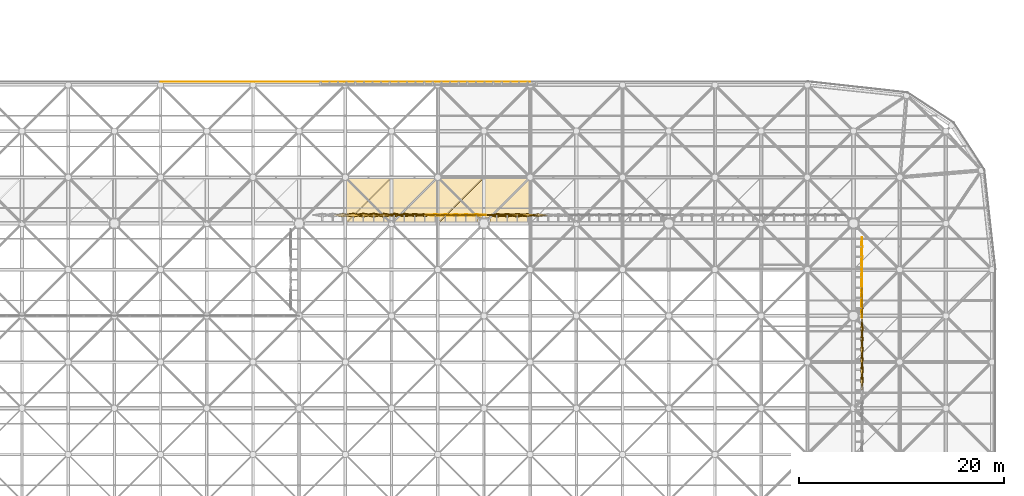
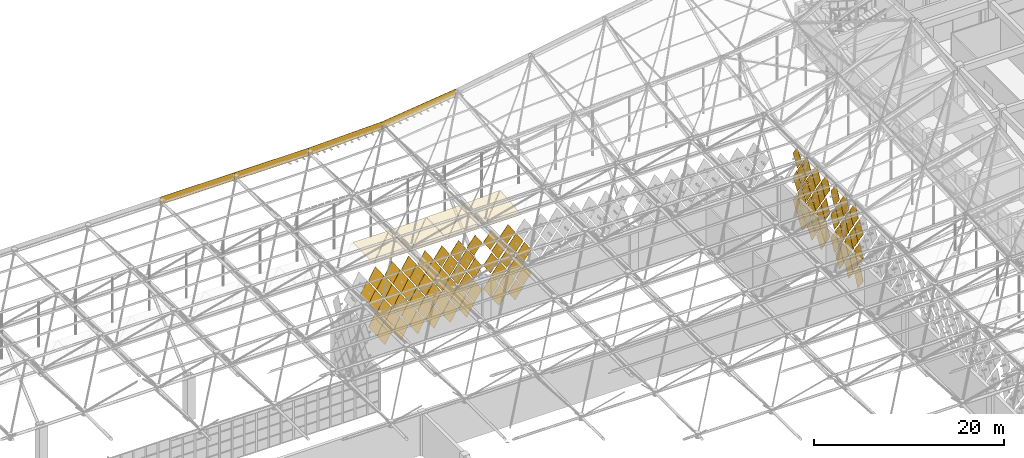
# One storey, part 426 of 437: 105 coverings.
"""IFC4 building model written with IfcOpenShell, lengths in metres."""

import ifcopenshell
import ifcopenshell.guid

model = None  # the IFC model being written
_history = None  # IfcOwnerHistory: only IFC2X3 demands one
_inside = {}  # id of a spatial element -> (the spatial element, [elements in it])
_under = {}  # id of a project, library or spatial element -> (it, [spatial elements below it])
_declared = {}  # id of a project -> (the project, [libraries it declares])
_typed = {}  # id of a type object -> (the type object, [elements of that type])
_made_of = {}  # id of a material, layer set ... -> (it, [elements and type objects made of it])


def new_model(schema):
    """Start an empty IFC model of exactly this schema.

    Asked for "IFC4X3", IfcOpenShell would pick the latest addendum, in which some entities
    have other attributes; the version numbers below select the first issue.
    IFC2X3 requires an IfcOwnerHistory on every rooted entity: one is made here for all.
    """
    global model, _history
    if schema == "IFC4X3":
        model = ifcopenshell.file(schema_version=(4, 3, 0, 0))
    else:
        model = ifcopenshell.file(schema=schema)
    _inside.clear()
    _under.clear()
    _declared.clear()
    _typed.clear()
    _made_of.clear()
    _history = None
    if model.schema == "IFC2X3":
        org = make("IfcOrganization", Name="unknown")
        user = make(
            "IfcPersonAndOrganization",
            ThePerson=make("IfcPerson", FamilyName="unknown"),
            TheOrganization=org,
        )
        app = make(
            "IfcApplication",
            ApplicationDeveloper=org,
            Version="unknown",
            ApplicationFullName="unknown",
            ApplicationIdentifier="unknown",
        )
        _history = make(
            "IfcOwnerHistory",
            OwningUser=user,
            OwningApplication=app,
            ChangeAction="ADDED",
            CreationDate=0,
        )
    return model


def make(cls, **values):
    """One entity of the class cls with the attributes given. An attribute that is None is left unset."""
    return model.create_entity(
        cls, **{name: value for name, value in values.items() if value is not None}
    )


def rooted(cls, **values):
    """An entity with a GlobalId (a new one), such as an element, a storey or a relation."""
    return make(cls, GlobalId=ifcopenshell.guid.new(), OwnerHistory=_history, **values)


def si_unit(unit_type, name, prefix=None):
    """IfcSIUnit, for example si_unit("LENGTHUNIT", "METRE", prefix="MILLI")."""
    return make("IfcSIUnit", UnitType=unit_type, Prefix=prefix, Name=name)


def assignment(units):
    """IfcUnitAssignment: the units of a project."""
    return None if units is None else make("IfcUnitAssignment", Units=units)


def point(xyz):
    """IfcCartesianPoint."""
    return None if xyz is None else make("IfcCartesianPoint", Coordinates=xyz)


def direction(xyz):
    """IfcDirection."""
    return None if xyz is None else make("IfcDirection", DirectionRatios=xyz)


def frame(location, z_axis=None, x_axis=None):
    """IfcAxis2Placement3D, a coordinate frame: its origin and axes. An axis left out is left unset."""
    return make(
        "IfcAxis2Placement3D",
        Location=point(location),
        Axis=direction(z_axis),
        RefDirection=direction(x_axis),
    )


def origin():
    """The frame at (0, 0, 0) with its axes left unset."""
    return frame((0.0, 0.0, 0.0))


def place(relative_to, where):
    """IfcLocalPlacement: puts the frame where relative to a parent placement (None: the world)."""
    return make(
        "IfcLocalPlacement", PlacementRelTo=relative_to, RelativePlacement=where
    )


def context(
    kind, dimensions, precision=None, world=None, true_north=None, identifier=None
):
    """IfcGeometricRepresentationContext, for example the 3D "Model" context."""
    return make(
        "IfcGeometricRepresentationContext",
        ContextIdentifier=identifier,
        ContextType=kind,
        CoordinateSpaceDimension=dimensions,
        Precision=precision,
        WorldCoordinateSystem=world,
        TrueNorth=true_north,
    )


def subcontext(parent, identifier, kind, view, scale=None):
    """IfcGeometricRepresentationSubContext, for example "Body" below "Model"."""
    return make(
        "IfcGeometricRepresentationSubContext",
        ContextIdentifier=identifier,
        ContextType=kind,
        ParentContext=parent,
        TargetScale=scale,
        TargetView=view,
    )


def project(units=None, contexts=None):
    """IfcProject with its units and contexts."""
    return rooted(
        "IfcProject",
        Name="project",
        RepresentationContexts=contexts,
        UnitsInContext=assignment(units),
    )


def spatial(cls, under=None, at=None, **own):
    """A site, building, storey or space (cls), placed at a placement, below another one or the project."""
    s = rooted(cls, ObjectPlacement=at, **own)
    if under is not None:
        _under.setdefault(under.id(), (under, []))[1].append(s)
    return s


def polyline(points):
    """IfcPolyline through the points."""
    return make("IfcPolyline", Points=[point(p) for p in points])


def outline(outer, holes=None, kind="AREA"):
    """IfcArbitraryClosedProfileDef: a profile drawn as a closed curve; with holes, ...WithVoids."""
    if holes is None:
        return make("IfcArbitraryClosedProfileDef", ProfileType=kind, OuterCurve=outer)
    return make(
        "IfcArbitraryProfileDefWithVoids",
        ProfileType=kind,
        OuterCurve=outer,
        InnerCurves=holes,
    )


def extrude(swept, where, along, depth):
    """IfcExtrudedAreaSolid: the profile swept, set in the frame where, extruded along a direction by depth."""
    return make(
        "IfcExtrudedAreaSolid",
        SweptArea=swept,
        Position=where,
        ExtrudedDirection=direction(along),
        Depth=depth,
    )


def shape(context_of_items, identifier, shape_type, items):
    """IfcShapeRepresentation: the items that make up one representation, for example the "Body"."""
    return make(
        "IfcShapeRepresentation",
        ContextOfItems=context_of_items,
        RepresentationIdentifier=identifier,
        RepresentationType=shape_type,
        Items=items,
    )


def material(Name=None, Category=None):
    """IfcMaterial."""
    return make("IfcMaterial", Name=Name, Category=Category)


def layer(
    of_material, thickness, ventilated=None, Name=None, Category=None, Priority=None
):
    """IfcMaterialLayer: one layer of a wall or slab, of a material (None: an air gap)."""
    return make(
        "IfcMaterialLayer",
        Material=of_material,
        LayerThickness=thickness,
        IsVentilated=ventilated,
        Name=Name,
        Category=Category,
        Priority=Priority,
    )


def layer_set(layers, Name=None):
    """IfcMaterialLayerSet."""
    return make("IfcMaterialLayerSet", MaterialLayers=layers, LayerSetName=Name)


def material_profile(
    of_material, cross_section, Name=None, Category=None, Priority=None
):
    """IfcMaterialProfile: a cross section and its material."""
    return make(
        "IfcMaterialProfile",
        Name=Name,
        Material=of_material,
        Profile=cross_section,
        Priority=Priority,
        Category=Category,
    )


def profile_set(profiles, Name=None, composite=None):
    """IfcMaterialProfileSet."""
    return make(
        "IfcMaterialProfileSet",
        Name=Name,
        MaterialProfiles=profiles,
        CompositeProfile=composite,
    )


def made_of(thing, what):
    """Note that an element or type object is made of a material, layer set ...; save() writes the relation."""
    if what is not None:
        _made_of.setdefault(what.id(), (what, []))[1].append(thing)
    return thing


def type_object(cls, material=None, **own):
    """A type object (cls), such as IfcWallType, which elements share."""
    return made_of(rooted(cls, **own), material)


def element(
    cls,
    number,
    at=None,
    inside=None,
    cuts=None,
    type_object=None,
    material=None,
    context=None,
    identifier="Body",
    shape_type=None,
    held_by="IfcProductDefinitionShape",
    body=None,
    shapes=None,
    **own,
):
    """One element of the class cls, such as IfcWall. Its Tag is "e" and its number.

    at: its placement. inside: the storey or other place that contains it. cuts: it is an
    opening in that element (IfcRelVoidsElement). A single representation is given by context,
    identifier, shape_type and body (its items); several are given by shapes. held_by: the class
    of the entity that holds the representations. save() writes the other relations.
    """
    e = rooted(cls, Tag="e%d" % number, ObjectPlacement=at, **own)
    if body is not None:
        shapes = [shape(context, identifier, shape_type, body)]
    if shapes is not None:
        e.Representation = make(held_by, Representations=shapes)
    if inside is not None:
        _inside.setdefault(inside.id(), (inside, []))[1].append(e)
    if cuts is not None:
        rooted(
            "IfcRelVoidsElement", RelatingBuildingElement=cuts, RelatedOpeningElement=e
        )
    if type_object is not None:
        _typed.setdefault(type_object.id(), (type_object, []))[1].append(e)
    return made_of(e, material)


def aggregate(whole, parts):
    """IfcRelAggregates: a whole, such as a stair, and the parts it consists of."""
    return rooted("IfcRelAggregates", RelatingObject=whole, RelatedObjects=parts)


def save(model, path):
    """Write the relations noted so far, then the file.

    IfcRelAggregates (storeys below a building ...), IfcRelContainedInSpatialStructure (elements
    in a storey), IfcRelDefinesByType, IfcRelAssociatesMaterial and IfcRelDeclares: one each for
    every whole, place, type object, material and project.
    """
    for whole, parts in _under.values():
        aggregate(whole, parts)
    for where, things in _inside.values():
        rooted(
            "IfcRelContainedInSpatialStructure",
            RelatedElements=things,
            RelatingStructure=where,
        )
    for kind, things in _typed.values():
        rooted("IfcRelDefinesByType", RelatedObjects=things, RelatingType=kind)
    for what, things in _made_of.values():
        rooted("IfcRelAssociatesMaterial", RelatedObjects=things, RelatingMaterial=what)
    for by, libraries in _declared.values():
        rooted("IfcRelDeclares", RelatingContext=by, RelatedDefinitions=libraries)
    model.write(path)


model = new_model("IFC4")

# Units and contexts
model_context = context("Model", 3, precision=1e-05, world=origin(), true_north=direction((0.0, 1.0)))
body_context = subcontext(model_context, "Body", "Model", "MODEL_VIEW")
ifc_project = project(units=[si_unit("LENGTHUNIT", "METRE"), si_unit("AREAUNIT", "SQUARE_METRE"), si_unit("VOLUMEUNIT", "CUBIC_METRE"), si_unit("PLANEANGLEUNIT", "RADIAN"), si_unit("MASSUNIT", "GRAM", prefix="KILO")], contexts=[model_context])

# Site, building, storey
site_placement = place(None, origin())
site = spatial("IfcSite", under=ifc_project, at=site_placement, CompositionType="ELEMENT")
building_placement = place(site_placement, origin())
building = spatial("IfcBuilding", under=site, at=building_placement, Name="Opaline Strait Convention Centre", CompositionType="ELEMENT")
storey_placement = place(building_placement, frame((0.0, 0.0, 11.5)))
storey = spatial("IfcBuildingStorey", under=building, at=storey_placement, Name="L02", CompositionType="ELEMENT", Elevation=11.5)

# Coverings
ifc_material_1 = material(Name="White ceramic-faced aluminium tile", Category="aluminium")
ifc_material_profile_1 = material_profile(ifc_material_1, outline(polyline([(0.927978515625, 0.0), (0.0, 1.39208984375), (-0.927978515625, 0.0), (0.0, -1.39208984375), (0.927978515625, 0.0)])), Name="Diamond tile 1856x2784")
ifc_profile_set_1 = profile_set([ifc_material_profile_1], Name="White ceramic-faced aluminium tile")
covering_type_1 = type_object("IfcCoveringType", Name="Diamond wall tile 1856x2784x30 pivot 1 deg", PredefinedType="CLADDING", material=ifc_profile_set_1)
for number, where, z_axis, x_axis, name in (
    (1, (261.800048828125, 148.75, 6.39208984375), (0.999867829764, 0.0, 0.016258013492), (0.0, 1.0, 0.0), "Wall tile XT02 E"),
    (2, (261.800048828125, 149.75, 7.89208984375), (0.999867829764, 0.0, 0.016258013492), (0.0, 1.0, 0.0), "Wall tile XT02 E"),
    (3, (261.800048828125, 148.75, 9.39208984375), (0.999702690643, 0.0, -0.024382992455), (0.0, 1.0, 0.0), "Wall tile XT02 E"),
    (4, (261.800048828125, 150.75, 9.39208984375), (0.999867829764, 0.0, 0.016258013492), (0.0, 1.0, 0.0), "Wall tile XT02 E"),
):
    element("IfcCovering", number, at=place(storey_placement, frame(where, z_axis=z_axis, x_axis=x_axis)), inside=storey, type_object=covering_type_1, Name=name, PredefinedType="CLADDING", context=body_context, shape_type="SweptSolid", body=[
        extrude(outline(polyline([(0.927978515625, 0.0), (0.0, 1.39208984375), (-0.927978515625, 0.0), (0.0, -1.39208984375), (0.927978515625, 0.0)])), origin(), (0.0, 0.0, 1.0), 0.030029296875),
    ])
ifc_material_profile_2 = material_profile(ifc_material_1, outline(polyline([(0.927978515625, 0.0), (0.0, 1.39208984375), (-0.927978515625, 0.0), (0.0, -1.39208984375), (0.927978515625, 0.0)])), Name="Diamond tile 1856x2784")
ifc_profile_set_2 = profile_set([ifc_material_profile_2], Name="White ceramic-faced aluminium tile")
covering_type_2 = type_object("IfcCoveringType", Name="Diamond wall tile 1856x2784x30 pivot 1.5 deg", PredefinedType="CLADDING", material=ifc_profile_set_2)
for number, where, z_axis, x_axis, name in (
    (5, (261.800048828125, 145.75, 1.89208984375), (0.999702690643, 0.0, 0.024382992455), (0.0, 1.0, 0.0), "Wall tile XT03 E"),
    (6, (261.800048828125, 144.75, 3.39208984375), (0.999471633277, 0.0, -0.032503142546), (0.0, 1.0, 0.0), "Wall tile XT03 E"),
    (7, (261.800048828125, 146.75, 3.39208984375), (0.999702690643, 0.0, 0.024382992455), (0.0, 1.0, 0.0), "Wall tile XT03 E"),
    (8, (261.800048828125, 148.75, 3.39208984375), (0.999702690643, 0.0, 0.024382992455), (0.0, 1.0, 0.0), "Wall tile XT03 E"),
    (9, (261.800048828125, 145.75, 4.89208984375), (0.999471633277, 0.0, -0.032503142546), (0.0, 1.0, 0.0), "Wall tile XT03 E"),
    (10, (261.800048828125, 147.75, 4.89208984375), (0.999702690643, 0.0, 0.024382992455), (0.0, 1.0, 0.0), "Wall tile XT03 E"),
    (11, (261.800048828125, 149.75, 4.89208984375), (0.999702690643, 0.0, 0.024382992455), (0.0, 1.0, 0.0), "Wall tile XT03 E"),
    (12, (261.800048828125, 146.75, 6.39208984375), (0.999471633277, 0.0, -0.032503142546), (0.0, 1.0, 0.0), "Wall tile XT03 E"),
    (13, (261.800048828125, 150.75, 6.39208984375), (0.999702690643, 0.0, 0.024382992455), (0.0, 1.0, 0.0), "Wall tile XT03 E"),
    (14, (261.800048828125, 147.75, 7.89208984375), (0.999471633277, 0.0, -0.032503142546), (0.0, 1.0, 0.0), "Wall tile XT03 E"),
):
    element("IfcCovering", number, at=place(storey_placement, frame(where, z_axis=z_axis, x_axis=x_axis)), inside=storey, type_object=covering_type_2, Name=name, PredefinedType="CLADDING", context=body_context, shape_type="SweptSolid", body=[
        extrude(outline(polyline([(0.927978515625, 0.0), (0.0, 1.39208984375), (-0.927978515625, 0.0), (0.0, -1.39208984375), (0.927978515625, 0.0)])), origin(), (0.0, 0.0, 1.0), 0.030029296875),
    ])
ifc_material_profile_3 = material_profile(ifc_material_1, outline(polyline([(0.927978515625, 0.0), (0.0, 1.39208984375), (-0.927978515625, 0.0), (0.0, -1.39208984375), (0.927978515625, 0.0)])), Name="Diamond tile 1856x2784")
ifc_profile_set_3 = profile_set([ifc_material_profile_3], Name="White ceramic-faced aluminium tile")
covering_type_3 = type_object("IfcCoveringType", Name="Diamond wall tile 1856x2784x30 pivot 2 deg", PredefinedType="CLADDING", material=ifc_profile_set_3)
covering_1_placement = place(storey_placement, frame((261.800048828125, 147.75, 1.89208984375), z_axis=(0.999471633277, 0.0, 0.032503142546), x_axis=(0.0, 1.0, 0.0)))
element("IfcCovering", 15, at=covering_1_placement, inside=storey, type_object=covering_type_3, Name="Wall tile XT04 E", PredefinedType="CLADDING", context=body_context, shape_type="SweptSolid", body=[
    extrude(outline(polyline([(0.927978515625, 0.0), (0.0, 1.39208984375), (-0.927978515625, 0.0), (0.0, -1.39208984375), (0.927978515625, 0.0)])), origin(), (0.0, 0.0, 1.0), 0.030029296875),
])
ifc_material_profile_4 = material_profile(ifc_material_1, outline(polyline([(0.927978515625, 0.0), (0.0, 1.39208984375), (-0.927978515625, 0.0), (0.0, -1.39208984375), (0.927978515625, 0.0)])), Name="Diamond tile 1856x2784")
ifc_profile_set_4 = profile_set([ifc_material_profile_4], Name="White ceramic-faced aluminium tile")
covering_type_4 = type_object("IfcCoveringType", Name="Diamond wall tile 1856x2784x30 pivot 2.5 deg", PredefinedType="CLADDING", material=ifc_profile_set_4)
for number, where, z_axis, x_axis, name in (
    (16, (223.25, 153.800048828125, 1.89208984375), (0.0, 0.998812351125, -0.048722553713), (-1.0, 0.0, 0.0), "Wall tile XT05 N"),
    (17, (224.25, 153.800048828125, 3.39208984375), (0.0, 0.999174794796, 0.040616861577), (-1.0, 0.0, 0.0), "Wall tile XT05 N"),
    (18, (222.25, 153.800048828125, 3.39208984375), (0.0, 0.998812351125, -0.048722553713), (-1.0, 0.0, 0.0), "Wall tile XT05 N"),
    (19, (223.25, 153.800048828125, 4.89208984375), (0.0, 0.999174794796, 0.040616861577), (-1.0, 0.0, 0.0), "Wall tile XT05 N"),
    (20, (221.25, 153.800048828125, 4.89208984375), (0.0, 0.998812351125, -0.048722553713), (-1.0, 0.0, 0.0), "Wall tile XT05 N"),
    (21, (222.25, 153.800048828125, 6.39208984375), (0.0, 0.999174794796, 0.040616861577), (-1.0, 0.0, 0.0), "Wall tile XT05 N"),
    (22, (220.25, 153.800048828125, 6.39208984375), (0.0, 0.998812351125, -0.048722553713), (-1.0, 0.0, 0.0), "Wall tile XT05 N"),
    (23, (221.25, 153.800048828125, 7.89208984375), (0.0, 0.999174794796, 0.040616861577), (-1.0, 0.0, 0.0), "Wall tile XT05 N"),
    (24, (219.25, 153.800048828125, 7.89208984375), (0.0, 0.998812351125, -0.048722553713), (-1.0, 0.0, 0.0), "Wall tile XT05 N"),
    (25, (217.25, 153.800048828125, 7.89208984375), (0.0, 0.998812351125, -0.048722553713), (-1.0, 0.0, 0.0), "Wall tile XT05 N"),
    (26, (220.25, 153.800048828125, 9.39208984375), (0.0, 0.999174794796, 0.040616861577), (-1.0, 0.0, 0.0), "Wall tile XT05 N"),
    (27, (218.25, 153.800048828125, 9.39208984375), (0.0, 0.998812351125, -0.048722553713), (-1.0, 0.0, 0.0), "Wall tile XT05 N"),
    (28, (216.25, 153.800048828125, 9.39208984375), (0.0, 0.998812351125, -0.048722553713), (-1.0, 0.0, 0.0), "Wall tile XT05 N"),
    (29, (261.800048828125, 141.75, 1.89208984375), (0.998812351125, 0.0, -0.048722553713), (0.0, 1.0, 0.0), "Wall tile XT05 E"),
    (30, (261.800048828125, 149.75, 1.89208984375), (0.999174794796, 0.0, 0.040616861577), (0.0, 1.0, 0.0), "Wall tile XT05 E"),
    (31, (261.800048828125, 150.75, 3.39208984375), (0.999174794796, 0.0, 0.040616861577), (0.0, 1.0, 0.0), "Wall tile XT05 E"),
    (32, (261.800048828125, 144.75, 6.39208984375), (0.998812351125, 0.0, -0.048722553713), (0.0, 1.0, 0.0), "Wall tile XT05 E"),
    (33, (261.800048828125, 146.75, 9.39208984375), (0.998812351125, 0.0, -0.048722553713), (0.0, 1.0, 0.0), "Wall tile XT05 E"),
):
    element("IfcCovering", number, at=place(storey_placement, frame(where, z_axis=z_axis, x_axis=x_axis)), inside=storey, type_object=covering_type_4, Name=name, PredefinedType="CLADDING", context=body_context, shape_type="SweptSolid", body=[
        extrude(outline(polyline([(0.927978515625, 0.0), (0.0, 1.39208984375), (-0.927978515625, 0.0), (0.0, -1.39208984375), (0.927978515625, 0.0)])), origin(), (0.0, 0.0, 1.0), 0.030029296875),
    ])
ifc_material_profile_5 = material_profile(ifc_material_1, outline(polyline([(0.927978515625, 0.0), (0.0, 1.39208984375), (-0.927978515625, 0.0), (0.0, -1.39208984375), (0.927978515625, 0.0)])), Name="Diamond tile 1856x2784")
ifc_profile_set_5 = profile_set([ifc_material_profile_5], Name="White ceramic-faced aluminium tile")
covering_type_5 = type_object("IfcCoveringType", Name="Diamond wall tile 1856x2784x30 pivot 3 deg", PredefinedType="CLADDING", material=ifc_profile_set_5)
for number, where, z_axis, x_axis, name in (
    (34, (221.25, 153.800048828125, 1.89208984375), (0.0, 0.998384516691, -0.056818631031), (-1.0, 0.0, 0.0), "Wall tile XT06 N"),
    (35, (220.25, 153.800048828125, 3.39208984375), (0.0, 0.998384516691, -0.056818631031), (-1.0, 0.0, 0.0), "Wall tile XT06 N"),
    (36, (219.25, 153.800048828125, 4.89208984375), (0.0, 0.998384516691, -0.056818631031), (-1.0, 0.0, 0.0), "Wall tile XT06 N"),
    (37, (218.25, 153.800048828125, 6.39208984375), (0.0, 0.998384516691, -0.056818631031), (-1.0, 0.0, 0.0), "Wall tile XT06 N"),
    (38, (261.800048828125, 142.75, 3.39208984375), (0.998384516691, 0.0, -0.056818631031), (0.0, 1.0, 0.0), "Wall tile XT06 E"),
    (39, (261.800048828125, 145.75, 7.89208984375), (0.998384516691, 0.0, -0.056818631031), (0.0, 1.0, 0.0), "Wall tile XT06 E"),
):
    element("IfcCovering", number, at=place(storey_placement, frame(where, z_axis=z_axis, x_axis=x_axis)), inside=storey, type_object=covering_type_5, Name=name, PredefinedType="CLADDING", context=body_context, shape_type="SweptSolid", body=[
        extrude(outline(polyline([(0.927978515625, 0.0), (0.0, 1.39208984375), (-0.927978515625, 0.0), (0.0, -1.39208984375), (0.927978515625, 0.0)])), origin(), (0.0, 0.0, 1.0), 0.030029296875),
    ])
ifc_material_profile_6 = material_profile(ifc_material_1, outline(polyline([(0.927978515625, 0.0), (0.0, 1.39208984375), (-0.927978515625, 0.0), (0.0, -1.39208984375), (0.927978515625, 0.0)])), Name="Diamond tile 1856x2784")
ifc_profile_set_6 = profile_set([ifc_material_profile_6], Name="White ceramic-faced aluminium tile")
covering_type_6 = type_object("IfcCoveringType", Name="Diamond wall tile 1856x2784x30 pivot 3.5 deg", PredefinedType="CLADDING", material=ifc_profile_set_6)
for number, where, z_axis, x_axis, name in (
    (40, (227.25, 153.800048828125, 1.89208984375), (0.0, 0.99835799028, 0.057282835508), (-1.0, 0.0, 0.0), "Wall tile XT07 N"),
    (41, (226.25, 153.800048828125, 3.39208984375), (0.0, 0.99835799028, 0.057282835508), (-1.0, 0.0, 0.0), "Wall tile XT07 N"),
):
    element("IfcCovering", number, at=place(storey_placement, frame(where, z_axis=z_axis, x_axis=x_axis)), inside=storey, type_object=covering_type_6, Name=name, PredefinedType="CLADDING", context=body_context, shape_type="SweptSolid", body=[
        extrude(outline(polyline([(0.927978515625, 0.0), (0.0, 1.39208984375), (-0.927978515625, 0.0), (0.0, -1.39208984375), (0.927978515625, 0.0)])), origin(), (0.0, 0.0, 1.0), 0.02978515625),
    ])
ifc_material_profile_7 = material_profile(ifc_material_1, outline(polyline([(0.927978515625, 0.0), (0.0, 1.39208984375), (-0.927978515625, 0.0), (0.0, -1.39208984375), (0.927978515625, 0.0)])), Name="Diamond tile 1856x2784")
ifc_profile_set_7 = profile_set([ifc_material_profile_7], Name="White ceramic-faced aluminium tile")
covering_type_7 = type_object("IfcCoveringType", Name="Diamond wall tile 1856x2784x30 pivot 4 deg", PredefinedType="CLADDING", material=ifc_profile_set_7)
for number, where, z_axis, x_axis, name in (
    (42, (224.25, 153.800048828125, 6.39208984375), (0.0, 0.99785694905, 0.065433242561), (-1.0, 0.0, 0.0), "Wall tile XT08 N"),
    (43, (223.25, 153.800048828125, 7.89208984375), (0.0, 0.99785694905, 0.065433242561), (-1.0, 0.0, 0.0), "Wall tile XT08 N"),
    (44, (261.800048828125, 139.75, 1.89208984375), (0.997290013252, 0.0, -0.073570574748), (0.0, 1.0, 0.0), "Wall tile XT08 E"),
    (45, (261.800048828125, 140.75, 3.39208984375), (0.997290013252, 0.0, -0.073570574748), (0.0, 1.0, 0.0), "Wall tile XT08 E"),
    (46, (261.800048828125, 141.75, 4.89208984375), (0.997290013252, 0.0, -0.073570574748), (0.0, 1.0, 0.0), "Wall tile XT08 E"),
    (47, (261.800048828125, 142.75, 6.39208984375), (0.997290013252, 0.0, -0.073570574748), (0.0, 1.0, 0.0), "Wall tile XT08 E"),
    (48, (261.800048828125, 144.75, 9.39208984375), (0.997290013252, 0.0, -0.073570574748), (0.0, 1.0, 0.0), "Wall tile XT08 E"),
):
    element("IfcCovering", number, at=place(storey_placement, frame(where, z_axis=z_axis, x_axis=x_axis)), inside=storey, type_object=covering_type_7, Name=name, PredefinedType="CLADDING", context=body_context, shape_type="SweptSolid", body=[
        extrude(outline(polyline([(0.927978515625, 0.0), (0.0, 1.39208984375), (-0.927978515625, 0.0), (0.0, -1.39208984375), (0.927978515625, 0.0)])), origin(), (0.0, 0.0, 1.0), 0.02978515625),
    ])
ifc_material_profile_8 = material_profile(ifc_material_1, outline(polyline([(0.927978515625, 0.0), (0.0, 1.39208984375), (-0.927978515625, 0.0), (0.0, -1.39208984375), (0.927978515625, 0.0)])), Name="Diamond tile 1856x2784")
ifc_profile_set_8 = profile_set([ifc_material_profile_8], Name="White ceramic-faced aluminium tile")
covering_type_8 = type_object("IfcCoveringType", Name="Diamond wall tile 1856x2784x30 pivot 4.5 deg", PredefinedType="CLADDING", material=ifc_profile_set_8)
covering_2_placement = place(storey_placement, frame((222.25, 153.800048828125, 9.39208984375), z_axis=(0.0, 0.997290013252, 0.073570574748), x_axis=(-1.0, 0.0, 0.0)))
element("IfcCovering", 49, at=covering_2_placement, inside=storey, type_object=covering_type_8, Name="Wall tile XT09 N", PredefinedType="CLADDING", context=body_context, shape_type="SweptSolid", body=[
    extrude(outline(polyline([(0.927978515625, 0.0), (0.0, 1.39208984375), (-0.927978515625, 0.0), (0.0, -1.39208984375), (0.927978515625, 0.0)])), origin(), (0.0, 0.0, 1.0), 0.02978515625),
])
ifc_material_profile_9 = material_profile(ifc_material_1, outline(polyline([(0.927978515625, 0.0), (0.0, 1.39208984375), (-0.927978515625, 0.0), (0.0, -1.39208984375), (0.927978515625, 0.0)])), Name="Diamond tile 1856x2784")
ifc_profile_set_9 = profile_set([ifc_material_profile_9], Name="White ceramic-faced aluminium tile")
covering_type_9 = type_object("IfcCoveringType", Name="Diamond wall tile 1856x2784x30 pivot 5 deg", PredefinedType="CLADDING", material=ifc_profile_set_9)
for number, where, z_axis, x_axis, name in (
    (50, (229.25, 153.800048828125, 1.89208984375), (0.0, 0.996657521232, 0.081693239445), (-1.0, 0.0, 0.0), "Wall tile XT10 N"),
    (51, (219.25, 153.800048828125, 1.89208984375), (0.0, 0.995959849254, -0.089799658539), (-1.0, 0.0, 0.0), "Wall tile XT10 N"),
    (52, (218.25, 153.800048828125, 3.39208984375), (0.0, 0.995959849254, -0.089799658539), (-1.0, 0.0, 0.0), "Wall tile XT10 N"),
    (53, (217.25, 153.800048828125, 4.89208984375), (0.0, 0.995959849254, -0.089799658539), (-1.0, 0.0, 0.0), "Wall tile XT10 N"),
    (54, (216.25, 153.800048828125, 6.39208984375), (0.0, 0.995959849254, -0.089799658539), (-1.0, 0.0, 0.0), "Wall tile XT10 N"),
    (55, (215.25, 153.800048828125, 7.89208984375), (0.0, 0.995959849254, -0.089799658539), (-1.0, 0.0, 0.0), "Wall tile XT10 N"),
    (56, (214.25, 153.800048828125, 9.39208984375), (0.0, 0.995959849254, -0.089799658539), (-1.0, 0.0, 0.0), "Wall tile XT10 N"),
    (57, (261.800048828125, 139.75, 4.89208984375), (0.995959849254, 0.0, -0.089799658539), (0.0, 1.0, 0.0), "Wall tile XT10 E"),
    (58, (261.800048828125, 140.75, 6.39208984375), (0.995959849254, 0.0, -0.089799658539), (0.0, 1.0, 0.0), "Wall tile XT10 E"),
    (59, (261.800048828125, 137.75, 7.89208984375), (0.995959849254, 0.0, -0.089799658539), (0.0, 1.0, 0.0), "Wall tile XT10 E"),
    (60, (261.800048828125, 139.75, 7.89208984375), (0.995959849254, 0.0, -0.089799658539), (0.0, 1.0, 0.0), "Wall tile XT10 E"),
    (61, (261.800048828125, 141.75, 7.89208984375), (0.995959849254, 0.0, -0.089799658539), (0.0, 1.0, 0.0), "Wall tile XT10 E"),
    (62, (261.800048828125, 138.75, 9.39208984375), (0.995959849254, 0.0, -0.089799658539), (0.0, 1.0, 0.0), "Wall tile XT10 E"),
    (63, (261.800048828125, 140.75, 9.39208984375), (0.995959849254, 0.0, -0.089799658539), (0.0, 1.0, 0.0), "Wall tile XT10 E"),
    (64, (261.800048828125, 142.75, 9.39208984375), (0.995959849254, 0.0, -0.089799658539), (0.0, 1.0, 0.0), "Wall tile XT10 E"),
):
    element("IfcCovering", number, at=place(storey_placement, frame(where, z_axis=z_axis, x_axis=x_axis)), inside=storey, type_object=covering_type_9, Name=name, PredefinedType="CLADDING", context=body_context, shape_type="SweptSolid", body=[
        extrude(outline(polyline([(0.927978515625, 0.0), (0.0, 1.39208984375), (-0.927978515625, 0.0), (0.0, -1.39208984375), (0.927978515625, 0.0)])), origin(), (0.0, 0.0, 1.0), 0.02978515625),
    ])
ifc_material_profile_10 = material_profile(ifc_material_1, outline(polyline([(0.927978515625, 0.0), (0.0, 1.39208984375), (-0.927978515625, 0.0), (0.0, -1.39208984375), (0.927978515625, 0.0)])), Name="Diamond tile 1856x2784")
ifc_profile_set_10 = profile_set([ifc_material_profile_10], Name="White ceramic-faced aluminium tile")
covering_type_10 = type_object("IfcCoveringType", Name="Diamond wall tile 1856x2784x30 pivot 5.5 deg", PredefinedType="CLADDING", material=ifc_profile_set_10)
for number, where, z_axis, x_axis, name in (
    (65, (228.25, 153.800048828125, 3.39208984375), (0.0, 0.995959849254, 0.089799658539), (-1.0, 0.0, 0.0), "Wall tile XT11 N"),
    (66, (227.25, 153.800048828125, 4.89208984375), (0.0, 0.995959849254, 0.089799658539), (-1.0, 0.0, 0.0), "Wall tile XT11 N"),
    (67, (226.25, 153.800048828125, 6.39208984375), (0.0, 0.995959849254, 0.089799658539), (-1.0, 0.0, 0.0), "Wall tile XT11 N"),
    (68, (224.25, 153.800048828125, 9.39208984375), (0.0, 0.995959849254, 0.089799658539), (-1.0, 0.0, 0.0), "Wall tile XT11 N"),
):
    element("IfcCovering", number, at=place(storey_placement, frame(where, z_axis=z_axis, x_axis=x_axis)), inside=storey, type_object=covering_type_10, Name=name, PredefinedType="CLADDING", context=body_context, shape_type="SweptSolid", body=[
        extrude(outline(polyline([(0.927978515625, 0.0), (0.0, 1.39208984375), (-0.927978515625, 0.0), (0.0, -1.39208984375), (0.927978515625, 0.0)])), origin(), (0.0, 0.0, 1.0), 0.02978515625),
    ])
for number, where, z_axis, x_axis, name in (
    (69, (261.800048828125, 137.75, 1.89208984375), (0.995197410875, 0.0, -0.097888269922), (0.0, 1.0, 0.0), "Wall tile XT11 E"),
    (70, (261.800048828125, 138.75, 3.39208984375), (0.995197410875, 0.0, -0.097888269922), (0.0, 1.0, 0.0), "Wall tile XT11 E"),
    (71, (261.800048828125, 137.75, 4.89208984375), (0.995197410875, 0.0, -0.097888269922), (0.0, 1.0, 0.0), "Wall tile XT11 E"),
    (72, (261.800048828125, 138.75, 6.39208984375), (0.995197410875, 0.0, -0.097888269922), (0.0, 1.0, 0.0), "Wall tile XT11 E"),
):
    element("IfcCovering", number, at=place(storey_placement, frame(where, z_axis=z_axis, x_axis=x_axis)), inside=storey, type_object=covering_type_10, Name=name, PredefinedType="CLADDING", context=body_context, shape_type="SweptSolid", body=[
        extrude(outline(polyline([(0.927978515625, 0.0), (0.0, 1.39208984375), (-0.927978515625, 0.0), (0.0, -1.39208984375), (0.927978515625, 0.0)])), origin(), (0.0, 0.0, 1.0), 0.030029296875),
    ])
ifc_material_profile_11 = material_profile(ifc_material_1, outline(polyline([(0.927978515625, 0.0), (0.0, 1.39208984375), (-0.927978515625, 0.0), (0.0, -1.39208984375), (0.927978515625, 0.0)])), Name="Diamond tile 1856x2784")
ifc_profile_set_11 = profile_set([ifc_material_profile_11], Name="White ceramic-faced aluminium tile")
covering_type_11 = type_object("IfcCoveringType", Name="Diamond wall tile 1856x2784x30 pivot 6 deg", PredefinedType="CLADDING", material=ifc_profile_set_11)
for number, where, z_axis, x_axis, name in (
    (73, (230.25, 153.800048828125, 3.39208984375), (0.0, 0.995197410875, 0.097888269922), (-1.0, 0.0, 0.0), "Wall tile XT12 N"),
    (74, (229.25, 153.800048828125, 4.89208984375), (0.0, 0.995197410875, 0.097888269922), (-1.0, 0.0, 0.0), "Wall tile XT12 N"),
    (75, (230.25, 153.800048828125, 6.39208984375), (0.0, 0.995197410875, 0.097888269922), (-1.0, 0.0, 0.0), "Wall tile XT12 N"),
    (76, (229.25, 153.800048828125, 7.89208984375), (0.0, 0.995197410875, 0.097888269922), (-1.0, 0.0, 0.0), "Wall tile XT12 N"),
):
    element("IfcCovering", number, at=place(storey_placement, frame(where, z_axis=z_axis, x_axis=x_axis)), inside=storey, type_object=covering_type_11, Name=name, PredefinedType="CLADDING", context=body_context, shape_type="SweptSolid", body=[
        extrude(outline(polyline([(0.927978515625, 0.0), (0.0, 1.39208984375), (-0.927978515625, 0.0), (0.0, -1.39208984375), (0.927978515625, 0.0)])), origin(), (0.0, 0.0, 1.0), 0.030029296875),
    ])
ifc_material_profile_12 = material_profile(ifc_material_1, outline(polyline([(0.927978515625, 0.0), (0.0, 1.39208984375), (-0.927978515625, 0.0), (0.0, -1.39208984375), (0.927978515625, 0.0)])), Name="Diamond tile 1856x2784")
ifc_profile_set_12 = profile_set([ifc_material_profile_12], Name="White ceramic-faced aluminium tile")
covering_type_12 = type_object("IfcCoveringType", Name="Diamond wall tile 1856x2784x30 pivot 6.5 deg", PredefinedType="CLADDING", material=ifc_profile_set_12)
for number, where, z_axis, x_axis, name in (
    (77, (217.25, 153.800048828125, 1.89208984375), (0.0, 0.993480071526, -0.114005909847), (-1.0, 0.0, 0.0), "Wall tile XT13 N"),
    (78, (216.25, 153.800048828125, 3.39208984375), (0.0, 0.993480071526, -0.114005909847), (-1.0, 0.0, 0.0), "Wall tile XT13 N"),
    (79, (228.25, 153.800048828125, 6.39208984375), (0.0, 0.993480071526, 0.114005909847), (-1.0, 0.0, 0.0), "Wall tile XT13 N"),
    (80, (214.25, 153.800048828125, 6.39208984375), (0.0, 0.993480071526, -0.114005909847), (-1.0, 0.0, 0.0), "Wall tile XT13 N"),
    (81, (227.25, 153.800048828125, 7.89208984375), (0.0, 0.993480071526, 0.114005909847), (-1.0, 0.0, 0.0), "Wall tile XT13 N"),
    (82, (213.25, 153.800048828125, 7.89208984375), (0.0, 0.993480071526, -0.114005909847), (-1.0, 0.0, 0.0), "Wall tile XT13 N"),
    (83, (228.25, 153.800048828125, 9.39208984375), (0.0, 0.993480071526, 0.114005909847), (-1.0, 0.0, 0.0), "Wall tile XT13 N"),
    (84, (226.25, 153.800048828125, 9.39208984375), (0.0, 0.993480071526, 0.114005909847), (-1.0, 0.0, 0.0), "Wall tile XT13 N"),
    (85, (212.25, 153.800048828125, 9.39208984375), (0.0, 0.993480071526, -0.114005909847), (-1.0, 0.0, 0.0), "Wall tile XT13 N"),
):
    element("IfcCovering", number, at=place(storey_placement, frame(where, z_axis=z_axis, x_axis=x_axis)), inside=storey, type_object=covering_type_12, Name=name, PredefinedType="CLADDING", context=body_context, shape_type="SweptSolid", body=[
        extrude(outline(polyline([(0.927978515625, 0.0), (0.0, 1.39208984375), (-0.927978515625, 0.0), (0.0, -1.39208984375), (0.927978515625, 0.0)])), origin(), (0.0, 0.0, 1.0), 0.030029296875),
    ])
ifc_material_profile_13 = material_profile(ifc_material_1, outline(polyline([(0.927978515625, 0.0), (0.0, 1.39208984375), (-0.927978515625, 0.0), (0.0, -1.39208984375), (0.927978515625, 0.0)])), Name="Diamond tile 1856x2784")
ifc_profile_set_13 = profile_set([ifc_material_profile_13], Name="White ceramic-faced aluminium tile")
covering_type_13 = type_object("IfcCoveringType", Name="Diamond wall tile 1856x2784x30 pivot 7 deg", PredefinedType="CLADDING", material=ifc_profile_set_13)
for number, where, z_axis, x_axis, name in (
    (86, (213.25, 153.800048828125, 1.89208984375), (0.0, 0.992526177815, -0.122031907108), (-1.0, 0.0, 0.0), "Wall tile XT14 N"),
    (87, (212.25, 153.800048828125, 3.39208984375), (0.0, 0.992526177815, -0.122031907108), (-1.0, 0.0, 0.0), "Wall tile XT14 N"),
    (88, (215.25, 153.800048828125, 4.89208984375), (0.0, 0.992526177815, -0.122031907108), (-1.0, 0.0, 0.0), "Wall tile XT14 N"),
):
    element("IfcCovering", number, at=place(storey_placement, frame(where, z_axis=z_axis, x_axis=x_axis)), inside=storey, type_object=covering_type_13, Name=name, PredefinedType="CLADDING", context=body_context, shape_type="SweptSolid", body=[
        extrude(outline(polyline([(0.927978515625, 0.0), (0.0, 1.39208984375), (-0.927978515625, 0.0), (0.0, -1.39208984375), (0.927978515625, 0.0)])), origin(), (0.0, 0.0, 1.0), 0.030029296875),
    ])
ifc_material_profile_14 = material_profile(ifc_material_1, outline(polyline([(0.927978515625, 0.0), (0.0, 1.39208984375), (-0.927978515625, 0.0), (0.0, -1.39208984375), (0.927978515625, 0.0)])), Name="Diamond tile 1856x2784")
ifc_profile_set_14 = profile_set([ifc_material_profile_14], Name="White ceramic-faced aluminium tile")
covering_type_14 = type_object("IfcCoveringType", Name="Diamond wall tile 1856x2784x30 pivot 7.5 deg", PredefinedType="CLADDING", material=ifc_profile_set_14)
for number, where, z_axis, x_axis, name in (
    (89, (215.25, 153.800048828125, 1.89208984375), (0.0, 0.991509530601, -0.1300340368), (-1.0, 0.0, 0.0), "Wall tile XT15 N"),
    (90, (214.25, 153.800048828125, 3.39208984375), (0.0, 0.991509530601, -0.1300340368), (-1.0, 0.0, 0.0), "Wall tile XT15 N"),
    (91, (213.25, 153.800048828125, 4.89208984375), (0.0, 0.991509530601, -0.1300340368), (-1.0, 0.0, 0.0), "Wall tile XT15 N"),
    (92, (212.25, 153.800048828125, 6.39208984375), (0.0, 0.991509530601, -0.1300340368), (-1.0, 0.0, 0.0), "Wall tile XT15 N"),
    (93, (211.25, 153.800048828125, 7.89208984375), (0.0, 0.991509530601, -0.1300340368), (-1.0, 0.0, 0.0), "Wall tile XT15 N"),
):
    element("IfcCovering", number, at=place(storey_placement, frame(where, z_axis=z_axis, x_axis=x_axis)), inside=storey, type_object=covering_type_14, Name=name, PredefinedType="CLADDING", context=body_context, shape_type="SweptSolid", body=[
        extrude(outline(polyline([(0.927978515625, 0.0), (0.0, 1.39208984375), (-0.927978515625, 0.0), (0.0, -1.39208984375), (0.927978515625, 0.0)])), origin(), (0.0, 0.0, 1.0), 0.030029296875),
    ])
ifc_material_2 = material(Name="White aluminium fascia plate", Category="aluminium")
ifc_layer_1 = layer(ifc_material_2, 0.02001953125)
ifc_layer_set_1 = layer_set([ifc_layer_1], Name="White aluminium fascia plate")
covering_type_15 = type_object("IfcCoveringType", Name="Edge fascia plate 20 aluminium", PredefinedType="CLADDING", material=ifc_layer_set_1)
covering_3_placement = place(storey_placement, frame((225.0, 166.800048828125, 18.79638671875), z_axis=(0.0, 1.0, 0.0), x_axis=(-1.0, 0.0, 0.0)))
element("IfcCovering", 94, at=covering_3_placement, inside=storey, type_object=covering_type_15, Name="Edge fascia plate N", PredefinedType="CLADDING", context=body_context, shape_type="SweptSolid", body=[
    extrude(outline(polyline([(-4.5, 1.043701171875), (4.5, -0.043701171875), (4.5, -1.043701171875), (-4.5, 0.043701171875), (-4.5, 1.043701171875)])), origin(), (0.0, 0.0, 1.0), 0.02001953125),
])
covering_4_placement = place(storey_placement, frame((216.0, 166.800048828125, 18.12646484375), z_axis=(0.0, 1.0, 0.0), x_axis=(-1.0, 0.0, 0.0)))
element("IfcCovering", 95, at=covering_4_placement, inside=storey, type_object=covering_type_15, Name="Edge fascia plate N", PredefinedType="CLADDING", context=body_context, shape_type="SweptSolid", body=[
    extrude(outline(polyline([(-4.5, 0.62646484375), (4.5, 0.373779296875), (4.5, -0.626220703125), (-4.5, -0.37353515625), (-4.5, 0.62646484375)])), origin(), (0.0, 0.0, 1.0), 0.02001953125),
])
for number, where, z_axis, x_axis, name in (
    (96, (207.0, 166.800048828125, 18.0), (0.0, 1.0, 0.0), (-1.0, 0.0, 0.0), "Edge fascia plate N"),
    (97, (198.0, 166.800048828125, 18.0), (0.0, 1.0, 0.0), (-1.0, 0.0, 0.0), "Edge fascia plate N"),
):
    element("IfcCovering", number, at=place(storey_placement, frame(where, z_axis=z_axis, x_axis=x_axis)), inside=storey, type_object=covering_type_15, Name=name, PredefinedType="CLADDING", context=body_context, shape_type="SweptSolid", body=[
        extrude(outline(polyline([(-4.5, 0.5), (4.5, 0.5), (4.5, -0.5), (-4.5, -0.5), (-4.5, 0.5)])), origin(), (0.0, 0.0, 1.0), 0.02001953125),
    ])
ifc_material_3 = material(Name="White aluminium soffit panel", Category="aluminium")
ifc_layer_2 = layer(ifc_material_3, 0.011962890625)
ifc_layer_set_2 = layer_set([ifc_layer_2], Name="White aluminium soffit panel")
covering_type_16 = type_object("IfcCoveringType", Name="Soffit lining panel 12 aluminium", PredefinedType="CEILING", material=ifc_layer_set_2)
covering_5_placement = place(storey_placement, frame((211.54833984375, 153.02001953125, 11.989990234375), z_axis=(0.0, -0.00099162578, 0.999999508339), x_axis=(0.707106607358, 0.707106607358, 0.000701185485)))
element("IfcCovering", 98, at=covering_5_placement, inside=storey, type_object=covering_type_16, Name="Soffit lining panel", PredefinedType="CEILING", context=body_context, shape_type="SweptSolid", body=[
    extrude(outline(polyline([(0.0, 0.0), (6.2672878161295325, 5.14484424030473e-16), (3.1336423673740024, -3.1336439080643874), (0.0, 0.0)])), origin(), (0.0, 0.0, -1.0), 0.011962890625),
])
covering_6_placement = place(storey_placement, frame((211.52001953125, 153.04833984375, 11.989990234375), z_axis=(-0.000495813012, -0.000495813012, 0.999999754169), x_axis=(0.0, 0.999999877085, 0.000495813073)))
element("IfcCovering", 99, at=covering_6_placement, inside=storey, type_object=covering_type_16, Name="Soffit lining panel", PredefinedType="CEILING", context=body_context, shape_type="SweptSolid", body=[
    extrude(outline(polyline([(0.0, 0.0), (4.431641169716544, 0.0), (4.431642259149564, -4.43164116971641), (0.0, 0.0)])), origin(), (0.0, 0.0, -1.0), 0.011962890625),
])
covering_7_placement = place(storey_placement, frame((216.04833984375, 153.02001953125, 11.990478515625), z_axis=(0.0, -0.02599385811, 0.999662102583), x_axis=(0.706987286129, 0.706987286129, 0.018383538952)))
element("IfcCovering", 100, at=covering_7_placement, inside=storey, type_object=covering_type_16, Name="Soffit lining panel", PredefinedType="CEILING", context=body_context, shape_type="SweptSolid", body=[
    extrude(outline(polyline([(0.0, 0.0), (6.2683455727554165, 1.2923689896027213e-16), (3.1331135785670097, -3.1341726073956777), (0.0, 0.0)])), origin(), (0.0, 0.0, -1.0), 0.011962890625),
])
covering_8_placement = place(storey_placement, frame((216.02001953125, 153.04833984375, 11.990478515625), z_axis=(-0.025058225174, -0.000991314402, 0.999685501869), x_axis=(0.0, 0.999999508339, 0.00099162578)))
element("IfcCovering", 101, at=covering_8_placement, inside=storey, type_object=covering_type_16, Name="Soffit lining panel", PredefinedType="CEILING", context=body_context, shape_type="SweptSolid", body=[
    extrude(outline(polyline([(0.0, 0.0), (4.431642803865774, 2.710505431213761e-20), (4.431752957608373, -4.4330326266114), (0.0, 0.0)])), origin(), (0.0, 0.0, -1.0), 0.011962890625),
])
covering_9_placement = place(storey_placement, frame((224.39990234375, 153.02001953125, 11.990966796875), z_axis=(1.9333429e-05, -0.05100733674, 0.998698278373), x_axis=(-0.999999999813, -9.86147e-07, 1.9308263e-05)))
element("IfcCovering", 102, at=covering_9_placement, inside=storey, type_object=covering_type_16, Name="Soffit lining panel", PredefinedType="CEILING", context=body_context, shape_type="SweptSolid", body=[
    extrude(outline(polyline([(0.0, 0.0), (3.851562499280179, 0.0), (-0.5800781253252337, -4.437415760151114), (-0.580078126548054, -0.5808298333994333), (-1.656465257846323e-09, -0.5808298333994333), (0.0, 0.0)])), origin(), (0.0, 0.0, -1.0), 0.011962890625),
])
covering_10_placement = place(storey_placement, frame((220.52001953125, 153.04833984375, 11.99169921875), z_axis=(-0.02499471987, -0.026040754402, 0.999348359227), x_axis=(0.0, 0.999660670027, 0.026048892514)))
element("IfcCovering", 103, at=covering_10_placement, inside=storey, type_object=covering_type_16, Name="Soffit lining panel", PredefinedType="CEILING", context=body_context, shape_type="SweptSolid", body=[
    extrude(outline(polyline([(0.0, 0.0), (4.433144923947484, 0.0), (4.436032179123649, -4.433025576721892), (0.0, 0.0)])), origin(), (0.0, 0.0, -1.0), 0.011962890625),
])
covering_11_placement = place(storey_placement, frame((225.60009765625, 153.57177734375, 12.04638671875), z_axis=(8.759874e-06, -0.100314471774, 0.994955781267), x_axis=(0.705317239572, 0.705316619726, 0.071105959665)))
element("IfcCovering", 104, at=covering_11_placement, inside=storey, type_object=covering_type_16, Name="Soffit lining panel", PredefinedType="CEILING", context=body_context, shape_type="SweptSolid", body=[
    extrude(outline(polyline([(0.0, 0.0), (5.500904550624454, 1.8388068845354155e-16), (2.3434262333739495, -3.1415568272715495), (-0.39312200180297197, -0.3911396963388881), (0.0, 0.0)])), origin(), (0.0, 0.0, -1.0), 0.011962890625),
])
covering_12_placement = place(storey_placement, frame((225.02001953125, 153.60009765625, 12.021484375), z_axis=(-0.049599843824, -0.050926702176, 0.997469962705), x_axis=(1.927731e-06, 0.998699186472, 0.050989557129)))
element("IfcCovering", 105, at=covering_12_placement, inside=storey, type_object=covering_type_16, Name="Soffit lining panel", PredefinedType="CEILING", context=body_context, shape_type="SweptSolid", body=[
    extrude(outline(polyline([(0.0, 0.0), (3.884944089795816, -3.469446951953614e-18), (3.8961812901606527, -4.437094421926125), (0.0014077579654550776, -0.5524452649658423), (0.0, 0.0)])), origin(), (0.0, 0.0, -1.0), 0.011962890625),
])

save(model, "model.ifc")
